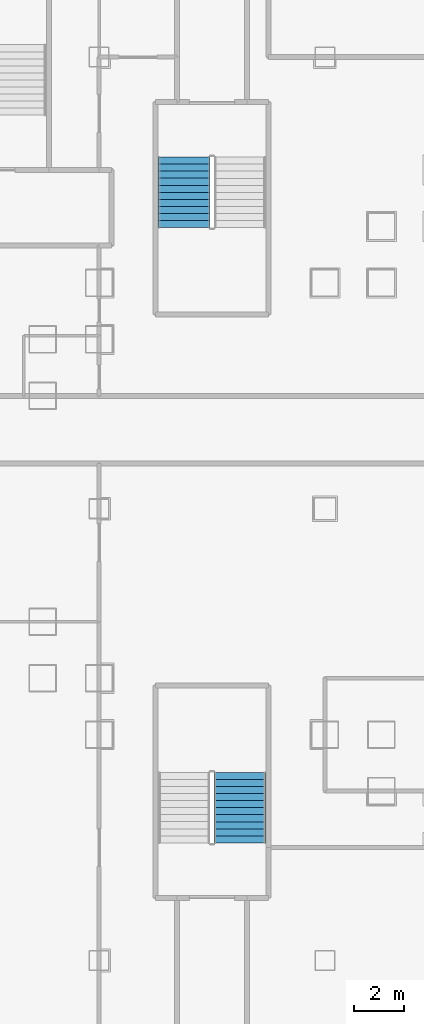
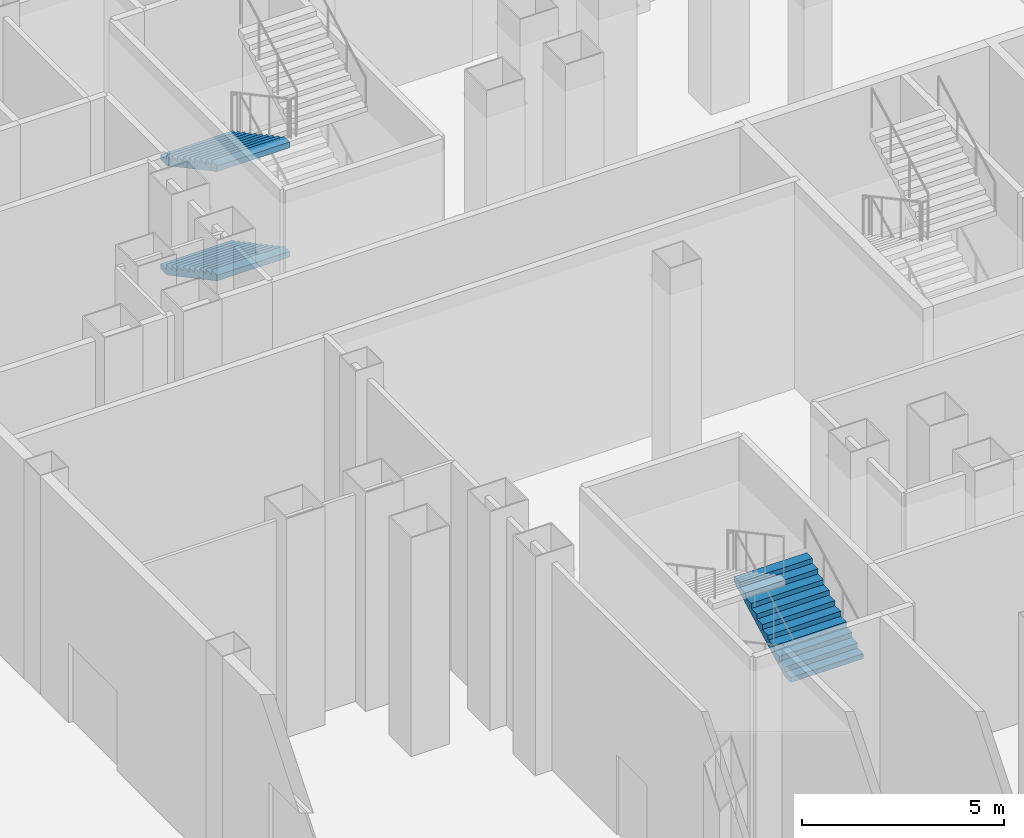
# One storey, part 19 of 38: 3 stair flights, 2 elements without a shape of their own.
"""IFC4 building model written with IfcOpenShell, lengths in metres."""

import ifcopenshell
import ifcopenshell.guid

model = None  # the IFC model being written
_history = None  # IfcOwnerHistory: only IFC2X3 demands one
_inside = {}  # id of a spatial element -> (the spatial element, [elements in it])
_under = {}  # id of a project, library or spatial element -> (it, [spatial elements below it])
_declared = {}  # id of a project -> (the project, [libraries it declares])
_typed = {}  # id of a type object -> (the type object, [elements of that type])
_made_of = {}  # id of a material, layer set ... -> (it, [elements and type objects made of it])


def new_model(schema):
    """Start an empty IFC model of exactly this schema.

    Asked for "IFC4X3", IfcOpenShell would pick the latest addendum, in which some entities
    have other attributes; the version numbers below select the first issue.
    IFC2X3 requires an IfcOwnerHistory on every rooted entity: one is made here for all.
    """
    global model, _history
    if schema == "IFC4X3":
        model = ifcopenshell.file(schema_version=(4, 3, 0, 0))
    else:
        model = ifcopenshell.file(schema=schema)
    _inside.clear()
    _under.clear()
    _declared.clear()
    _typed.clear()
    _made_of.clear()
    _history = None
    if model.schema == "IFC2X3":
        org = make("IfcOrganization", Name="unknown")
        user = make(
            "IfcPersonAndOrganization",
            ThePerson=make("IfcPerson", FamilyName="unknown"),
            TheOrganization=org,
        )
        app = make(
            "IfcApplication",
            ApplicationDeveloper=org,
            Version="unknown",
            ApplicationFullName="unknown",
            ApplicationIdentifier="unknown",
        )
        _history = make(
            "IfcOwnerHistory",
            OwningUser=user,
            OwningApplication=app,
            ChangeAction="ADDED",
            CreationDate=0,
        )
    return model


def make(cls, **values):
    """One entity of the class cls with the attributes given. An attribute that is None is left unset."""
    return model.create_entity(
        cls, **{name: value for name, value in values.items() if value is not None}
    )


def rooted(cls, **values):
    """An entity with a GlobalId (a new one), such as an element, a storey or a relation."""
    return make(cls, GlobalId=ifcopenshell.guid.new(), OwnerHistory=_history, **values)


def si_unit(unit_type, name, prefix=None):
    """IfcSIUnit, for example si_unit("LENGTHUNIT", "METRE", prefix="MILLI")."""
    return make("IfcSIUnit", UnitType=unit_type, Prefix=prefix, Name=name)


def assignment(units):
    """IfcUnitAssignment: the units of a project."""
    return None if units is None else make("IfcUnitAssignment", Units=units)


def point(xyz):
    """IfcCartesianPoint."""
    return None if xyz is None else make("IfcCartesianPoint", Coordinates=xyz)


def direction(xyz):
    """IfcDirection."""
    return None if xyz is None else make("IfcDirection", DirectionRatios=xyz)


def frame(location, z_axis=None, x_axis=None):
    """IfcAxis2Placement3D, a coordinate frame: its origin and axes. An axis left out is left unset."""
    return make(
        "IfcAxis2Placement3D",
        Location=point(location),
        Axis=direction(z_axis),
        RefDirection=direction(x_axis),
    )


def origin():
    """The frame at (0, 0, 0) with its axes left unset."""
    return frame((0.0, 0.0, 0.0))


def place(relative_to, where):
    """IfcLocalPlacement: puts the frame where relative to a parent placement (None: the world)."""
    return make(
        "IfcLocalPlacement", PlacementRelTo=relative_to, RelativePlacement=where
    )


def context(
    kind, dimensions, precision=None, world=None, true_north=None, identifier=None
):
    """IfcGeometricRepresentationContext, for example the 3D "Model" context."""
    return make(
        "IfcGeometricRepresentationContext",
        ContextIdentifier=identifier,
        ContextType=kind,
        CoordinateSpaceDimension=dimensions,
        Precision=precision,
        WorldCoordinateSystem=world,
        TrueNorth=true_north,
    )


def subcontext(parent, identifier, kind, view, scale=None):
    """IfcGeometricRepresentationSubContext, for example "Body" below "Model"."""
    return make(
        "IfcGeometricRepresentationSubContext",
        ContextIdentifier=identifier,
        ContextType=kind,
        ParentContext=parent,
        TargetScale=scale,
        TargetView=view,
    )


def project(units=None, contexts=None):
    """IfcProject with its units and contexts."""
    return rooted(
        "IfcProject",
        Name="project",
        RepresentationContexts=contexts,
        UnitsInContext=assignment(units),
    )


def spatial(cls, under=None, at=None, **own):
    """A site, building, storey or space (cls), placed at a placement, below another one or the project."""
    s = rooted(cls, ObjectPlacement=at, **own)
    if under is not None:
        _under.setdefault(under.id(), (under, []))[1].append(s)
    return s


def point_list(points):
    """IfcCartesianPointList2D or 3D."""
    cls = (
        "IfcCartesianPointList2D" if len(points[0]) == 2 else "IfcCartesianPointList3D"
    )
    return make(cls, CoordList=points)


def polygons(points, faces, closed=None, point_numbers=None):
    """IfcPolygonalFaceSet: a face is its outer loop, then its inner loops; points numbered from 1."""
    made = []
    for loops in faces:
        if len(loops) == 1:
            made.append(make("IfcIndexedPolygonalFace", CoordIndex=loops[0]))
        else:
            made.append(
                make(
                    "IfcIndexedPolygonalFaceWithVoids",
                    CoordIndex=loops[0],
                    InnerCoordIndices=loops[1:],
                )
            )
    return make(
        "IfcPolygonalFaceSet",
        Coordinates=point_list(points),
        Closed=closed,
        Faces=made,
        PnIndex=point_numbers,
    )


def shape(context_of_items, identifier, shape_type, items):
    """IfcShapeRepresentation: the items that make up one representation, for example the "Body"."""
    return make(
        "IfcShapeRepresentation",
        ContextOfItems=context_of_items,
        RepresentationIdentifier=identifier,
        RepresentationType=shape_type,
        Items=items,
    )


def material(Name=None, Category=None):
    """IfcMaterial."""
    return make("IfcMaterial", Name=Name, Category=Category)


def made_of(thing, what):
    """Note that an element or type object is made of a material, layer set ...; save() writes the relation."""
    if what is not None:
        _made_of.setdefault(what.id(), (what, []))[1].append(thing)
    return thing


def type_object(cls, material=None, **own):
    """A type object (cls), such as IfcWallType, which elements share."""
    return made_of(rooted(cls, **own), material)


def element(
    cls,
    number,
    at=None,
    inside=None,
    cuts=None,
    type_object=None,
    material=None,
    context=None,
    identifier="Body",
    shape_type=None,
    held_by="IfcProductDefinitionShape",
    body=None,
    shapes=None,
    **own,
):
    """One element of the class cls, such as IfcWall. Its Tag is "e" and its number.

    at: its placement. inside: the storey or other place that contains it. cuts: it is an
    opening in that element (IfcRelVoidsElement). A single representation is given by context,
    identifier, shape_type and body (its items); several are given by shapes. held_by: the class
    of the entity that holds the representations. save() writes the other relations.
    """
    e = rooted(cls, Tag="e%d" % number, ObjectPlacement=at, **own)
    if body is not None:
        shapes = [shape(context, identifier, shape_type, body)]
    if shapes is not None:
        e.Representation = make(held_by, Representations=shapes)
    if inside is not None:
        _inside.setdefault(inside.id(), (inside, []))[1].append(e)
    if cuts is not None:
        rooted(
            "IfcRelVoidsElement", RelatingBuildingElement=cuts, RelatedOpeningElement=e
        )
    if type_object is not None:
        _typed.setdefault(type_object.id(), (type_object, []))[1].append(e)
    return made_of(e, material)


def aggregate(whole, parts):
    """IfcRelAggregates: a whole, such as a stair, and the parts it consists of."""
    return rooted("IfcRelAggregates", RelatingObject=whole, RelatedObjects=parts)


def save(model, path):
    """Write the relations noted so far, then the file.

    IfcRelAggregates (storeys below a building ...), IfcRelContainedInSpatialStructure (elements
    in a storey), IfcRelDefinesByType, IfcRelAssociatesMaterial and IfcRelDeclares: one each for
    every whole, place, type object, material and project.
    """
    for whole, parts in _under.values():
        aggregate(whole, parts)
    for where, things in _inside.values():
        rooted(
            "IfcRelContainedInSpatialStructure",
            RelatedElements=things,
            RelatingStructure=where,
        )
    for kind, things in _typed.values():
        rooted("IfcRelDefinesByType", RelatedObjects=things, RelatingType=kind)
    for what, things in _made_of.values():
        rooted("IfcRelAssociatesMaterial", RelatedObjects=things, RelatingMaterial=what)
    for by, libraries in _declared.values():
        rooted("IfcRelDeclares", RelatingContext=by, RelatedDefinitions=libraries)
    model.write(path)


model = new_model("IFC4")

# Units and contexts
model_context = context("Model", 3, precision=1e-05, world=origin(), true_north=direction((0.0, 1.0)))
body_context = subcontext(model_context, "Body", "Model", "MODEL_VIEW")
ifc_project = project(units=[si_unit("LENGTHUNIT", "METRE"), si_unit("AREAUNIT", "SQUARE_METRE"), si_unit("VOLUMEUNIT", "CUBIC_METRE"), si_unit("PLANEANGLEUNIT", "RADIAN"), si_unit("MASSUNIT", "GRAM", prefix="KILO")], contexts=[model_context])

# Site, building, storey
site_placement = place(None, origin())
site = spatial("IfcSite", under=ifc_project, at=site_placement, CompositionType="ELEMENT")
building_placement = place(site_placement, origin())
building = spatial("IfcBuilding", under=site, at=building_placement, Name="Caravel Reach Hotel and Residences", CompositionType="ELEMENT")
storey_placement = place(building_placement, origin())
storey = spatial("IfcBuildingStorey", under=building, at=storey_placement, Name="L00", CompositionType="ELEMENT", Elevation=0.0)

# Stair, stair flights
ifc_material_1 = material(Name="Concrete C40", Category="concrete")
stair_type = type_object("IfcStairType", Name="Core stair", PredefinedType="HALF_TURN_STAIR", material=ifc_material_1)
stair_1_placement = place(storey_placement, origin())
stair_1 = element("IfcStair", 1, at=stair_1_placement, inside=storey, type_object=stair_type, Name="L00 Exit stair P1", PredefinedType="HALF_TURN_STAIR")
ifc_material_2 = material(Name="Concrete C40", Category="concrete")
stair_flight_type = type_object("IfcStairFlightType", Name="Core stair flight", PredefinedType="STRAIGHT", material=ifc_material_2)
stair_flight_1_placement = place(storey_placement, frame((7.889892578125, 41.010009765625, 0.0), z_axis=(0.0, 0.0, 1.0), x_axis=(0.0, -1.0, 0.0)))
stair_flight_1 = element("IfcStairFlight", 2, at=stair_flight_1_placement, type_object=stair_flight_type, Name="ST-P1 flight 1", NumberOfRisers=11, NumberOfTreads=10, PredefinedType="STRAIGHT", RiserHeight=0.15, TreadLength=0.28, context=body_context, shape_type="Tessellation", body=[
    polygons([(0.3174408016601862, 1.0350341796875, 0.0), (0.3174408016601862, 0.6900227864583333, 0.0), (0.3174408016601862, 0.34501139322916663, 0.0), (0.3174408016601862, 0.0, 0.0), (0.3174408016601862, -0.34501139322916674, 0.0), (0.3174408016601862, -0.6900227864583333, 0.0), (0.3174408016601862, -1.0350341796875, 0.0), (2.801, 1.0350341796875, 1.329942427682043), (2.801, 0.6900227864583333, 1.329942427682043), (2.801, 0.34501139322916663, 1.329942427682043), (2.801, 0.0, 1.329942427682043), (2.801, -0.34501139322916674, 1.329942427682043), (2.801, -0.6900227864583333, 1.329942427682043), (2.801, -1.0350341796875, 1.329942427682043), (2.801, 1.0350341796875, 1.5), (2.801, 0.6900227864583333, 1.5), (2.801, 0.34501139322916663, 1.5), (2.801, 0.0, 1.5), (2.801, -0.34501139322916674, 1.5), (2.801, -0.6900227864583333, 1.5), (2.801, -1.0350341796875, 1.5), (2.5200000000000005, 1.0350341796875, 1.5), (2.5200000000000005, 0.6900227864583333, 1.5), (2.5200000000000005, 0.34501139322916663, 1.5), (2.5200000000000005, 0.0, 1.5), (2.5200000000000005, -0.34501139322916674, 1.5), (2.5200000000000005, -0.6900227864583333, 1.5), (2.5200000000000005, -1.0350341796875, 1.5), (2.5200000000000005, 1.0350341796875, 1.3499999999999999), (2.5200000000000005, 0.6900227864583333, 1.3499999999999999), (2.5200000000000005, 0.34501139322916663, 1.3499999999999999), (2.5200000000000005, 0.0, 1.3499999999999999), (2.5200000000000005, -0.34501139322916674, 1.3499999999999999), (2.5200000000000005, -0.6900227864583333, 1.3499999999999999), (2.5200000000000005, -1.0350341796875, 1.3499999999999999), (2.24, 1.0350341796875, 1.3499999999999999), (2.24, 0.6900227864583333, 1.3499999999999999), (2.24, 0.34501139322916663, 1.3499999999999999), (2.24, 0.0, 1.3499999999999999), (2.24, -0.34501139322916674, 1.3499999999999999), (2.24, -0.6900227864583333, 1.3499999999999999), (2.24, -1.0350341796875, 1.3499999999999999), (2.24, 1.0350341796875, 1.2), (2.24, 0.6900227864583333, 1.2), (2.24, 0.34501139322916663, 1.2), (2.24, 0.0, 1.2), (2.24, -0.34501139322916674, 1.2), (2.24, -0.6900227864583333, 1.2), (2.24, -1.0350341796875, 1.2), (1.9600000000000002, 1.0350341796875, 1.2), (1.9600000000000002, 0.6900227864583333, 1.2), (1.9600000000000002, 0.34501139322916663, 1.2), (1.9600000000000002, 0.0, 1.2), (1.9600000000000002, -0.34501139322916674, 1.2), (1.9600000000000002, -0.6900227864583333, 1.2), (1.9600000000000002, -1.0350341796875, 1.2), (1.9600000000000002, 1.0350341796875, 1.05), (1.9600000000000002, 0.6900227864583333, 1.05), (1.9600000000000002, 0.34501139322916663, 1.05), (1.9600000000000002, 0.0, 1.05), (1.9600000000000002, -0.34501139322916674, 1.05), (1.9600000000000002, -0.6900227864583333, 1.05), (1.9600000000000002, -1.0350341796875, 1.05), (1.6800000000000002, 1.0350341796875, 1.05), (1.6800000000000002, 0.6900227864583333, 1.05), (1.6800000000000002, 0.34501139322916663, 1.05), (1.6800000000000002, 0.0, 1.05), (1.6800000000000002, -0.34501139322916674, 1.05), (1.6800000000000002, -0.6900227864583333, 1.05), (1.6800000000000002, -1.0350341796875, 1.05), (1.6800000000000002, 1.0350341796875, 0.8999999999999999), (1.6800000000000002, 0.6900227864583333, 0.8999999999999999), (1.6800000000000002, 0.34501139322916663, 0.8999999999999999), (1.6800000000000002, 0.0, 0.8999999999999999), (1.6800000000000002, -0.34501139322916674, 0.8999999999999999), (1.6800000000000002, -0.6900227864583333, 0.8999999999999999), (1.6800000000000002, -1.0350341796875, 0.8999999999999999), (1.4000000000000001, 1.0350341796875, 0.8999999999999999), (1.4000000000000001, 0.6900227864583333, 0.8999999999999999), (1.4000000000000001, 0.34501139322916663, 0.8999999999999999), (1.4000000000000001, 0.0, 0.8999999999999999), (1.4000000000000001, -0.34501139322916674, 0.8999999999999999), (1.4000000000000001, -0.6900227864583333, 0.8999999999999999), (1.4000000000000001, -1.0350341796875, 0.8999999999999999), (1.4000000000000001, 1.0350341796875, 0.75), (1.4000000000000001, 0.6900227864583333, 0.75), (1.4000000000000001, 0.34501139322916663, 0.75), (1.4000000000000001, 0.0, 0.75), (1.4000000000000001, -0.34501139322916674, 0.75), (1.4000000000000001, -0.6900227864583333, 0.75), (1.4000000000000001, -1.0350341796875, 0.75), (1.12, 1.0350341796875, 0.75), (1.12, 0.6900227864583333, 0.75), (1.12, 0.34501139322916663, 0.75), (1.12, 0.0, 0.75), (1.12, -0.34501139322916674, 0.75), (1.12, -0.6900227864583333, 0.75), (1.12, -1.0350341796875, 0.75), (1.12, 1.0350341796875, 0.6), (1.12, 0.6900227864583333, 0.6), (1.12, 0.34501139322916663, 0.6), (1.12, 0.0, 0.6), (1.12, -0.34501139322916674, 0.6), (1.12, -0.6900227864583333, 0.6), (1.12, -1.0350341796875, 0.6), (0.8400000000000001, 1.0350341796875, 0.6), (0.8400000000000001, 0.6900227864583333, 0.6), (0.8400000000000001, 0.34501139322916663, 0.6), (0.8400000000000001, 0.0, 0.6), (0.8400000000000001, -0.34501139322916674, 0.6), (0.8400000000000001, -0.6900227864583333, 0.6), (0.8400000000000001, -1.0350341796875, 0.6), (0.8400000000000001, 1.0350341796875, 0.44999999999999996), (0.8400000000000001, 0.6900227864583333, 0.44999999999999996), (0.8400000000000001, 0.34501139322916663, 0.44999999999999996), (0.8400000000000001, 0.0, 0.44999999999999996), (0.8400000000000001, -0.34501139322916674, 0.44999999999999996), (0.8400000000000001, -0.6900227864583333, 0.44999999999999996), (0.8400000000000001, -1.0350341796875, 0.44999999999999996), (0.56, 1.0350341796875, 0.44999999999999996), (0.56, 0.6900227864583333, 0.44999999999999996), (0.56, 0.34501139322916663, 0.44999999999999996), (0.56, 0.0, 0.44999999999999996), (0.56, -0.34501139322916674, 0.44999999999999996), (0.56, -0.6900227864583333, 0.44999999999999996), (0.56, -1.0350341796875, 0.44999999999999996), (0.56, 1.0350341796875, 0.3), (0.56, 0.6900227864583333, 0.3), (0.56, 0.34501139322916663, 0.3), (0.56, 0.0, 0.3), (0.56, -0.34501139322916674, 0.3), (0.56, -0.6900227864583333, 0.3), (0.56, -1.0350341796875, 0.3), (0.28, 1.0350341796875, 0.3), (0.28, 0.6900227864583333, 0.3), (0.28, 0.34501139322916663, 0.3), (0.28, 0.0, 0.3), (0.28, -0.34501139322916674, 0.3), (0.28, -0.6900227864583333, 0.3), (0.28, -1.0350341796875, 0.3), (0.28, 1.0350341796875, 0.15), (0.28, 0.6900227864583333, 0.15), (0.28, 0.34501139322916663, 0.15), (0.28, 0.0, 0.15), (0.28, -0.34501139322916674, 0.15), (0.28, -0.6900227864583333, 0.15), (0.28, -1.0350341796875, 0.15), (-0.001, 1.0350341796875, 0.15), (-0.001, 0.6900227864583333, 0.15), (-0.001, 0.34501139322916663, 0.15), (-0.001, 0.0, 0.15), (-0.001, -0.34501139322916674, 0.15), (-0.001, -0.6900227864583333, 0.15), (-0.001, -1.0350341796875, 0.15), (-0.001, 1.0350341796875, 0.0), (-0.001, 0.6900227864583333, 0.0), (-0.001, 0.34501139322916663, 0.0), (-0.001, 0.0, 0.0), (-0.001, -0.34501139322916674, 0.0), (-0.001, -0.6900227864583333, 0.0), (-0.001, -1.0350341796875, 0.0)], [[[155, 148, 141, 134, 127, 120, 113, 106, 99, 92, 85, 78, 71, 64, 57, 50, 43, 36, 29, 22, 15, 8, 1]], [[7, 14, 21, 28, 35, 42, 49, 56, 63, 70, 77, 84, 91, 98, 105, 112, 119, 126, 133, 140, 147, 154, 161]], [[1, 8, 9, 2]], [[2, 9, 10, 3]], [[3, 10, 11, 4]], [[4, 11, 12, 5]], [[5, 12, 13, 6]], [[6, 13, 14, 7]], [[8, 15, 16, 9]], [[9, 16, 17, 10]], [[10, 17, 18, 11]], [[11, 18, 19, 12]], [[12, 19, 20, 13]], [[13, 20, 21, 14]], [[15, 22, 23, 16]], [[16, 23, 24, 17]], [[17, 24, 25, 18]], [[18, 25, 26, 19]], [[19, 26, 27, 20]], [[20, 27, 28, 21]], [[22, 29, 30, 23]], [[23, 30, 31, 24]], [[24, 31, 32, 25]], [[25, 32, 33, 26]], [[26, 33, 34, 27]], [[27, 34, 35, 28]], [[29, 36, 37, 30]], [[30, 37, 38, 31]], [[31, 38, 39, 32]], [[32, 39, 40, 33]], [[33, 40, 41, 34]], [[34, 41, 42, 35]], [[36, 43, 44, 37]], [[37, 44, 45, 38]], [[38, 45, 46, 39]], [[39, 46, 47, 40]], [[40, 47, 48, 41]], [[41, 48, 49, 42]], [[43, 50, 51, 44]], [[44, 51, 52, 45]], [[45, 52, 53, 46]], [[46, 53, 54, 47]], [[47, 54, 55, 48]], [[48, 55, 56, 49]], [[50, 57, 58, 51]], [[51, 58, 59, 52]], [[52, 59, 60, 53]], [[53, 60, 61, 54]], [[54, 61, 62, 55]], [[55, 62, 63, 56]], [[57, 64, 65, 58]], [[58, 65, 66, 59]], [[59, 66, 67, 60]], [[60, 67, 68, 61]], [[61, 68, 69, 62]], [[62, 69, 70, 63]], [[64, 71, 72, 65]], [[65, 72, 73, 66]], [[66, 73, 74, 67]], [[67, 74, 75, 68]], [[68, 75, 76, 69]], [[69, 76, 77, 70]], [[71, 78, 79, 72]], [[72, 79, 80, 73]], [[73, 80, 81, 74]], [[74, 81, 82, 75]], [[75, 82, 83, 76]], [[76, 83, 84, 77]], [[78, 85, 86, 79]], [[79, 86, 87, 80]], [[80, 87, 88, 81]], [[81, 88, 89, 82]], [[82, 89, 90, 83]], [[83, 90, 91, 84]], [[85, 92, 93, 86]], [[86, 93, 94, 87]], [[87, 94, 95, 88]], [[88, 95, 96, 89]], [[89, 96, 97, 90]], [[90, 97, 98, 91]], [[92, 99, 100, 93]], [[93, 100, 101, 94]], [[94, 101, 102, 95]], [[95, 102, 103, 96]], [[96, 103, 104, 97]], [[97, 104, 105, 98]], [[99, 106, 107, 100]], [[100, 107, 108, 101]], [[101, 108, 109, 102]], [[102, 109, 110, 103]], [[103, 110, 111, 104]], [[104, 111, 112, 105]], [[106, 113, 114, 107]], [[107, 114, 115, 108]], [[108, 115, 116, 109]], [[109, 116, 117, 110]], [[110, 117, 118, 111]], [[111, 118, 119, 112]], [[113, 120, 121, 114]], [[114, 121, 122, 115]], [[115, 122, 123, 116]], [[116, 123, 124, 117]], [[117, 124, 125, 118]], [[118, 125, 126, 119]], [[120, 127, 128, 121]], [[121, 128, 129, 122]], [[122, 129, 130, 123]], [[123, 130, 131, 124]], [[124, 131, 132, 125]], [[125, 132, 133, 126]], [[127, 134, 135, 128]], [[128, 135, 136, 129]], [[129, 136, 137, 130]], [[130, 137, 138, 131]], [[131, 138, 139, 132]], [[132, 139, 140, 133]], [[134, 141, 142, 135]], [[135, 142, 143, 136]], [[136, 143, 144, 137]], [[137, 144, 145, 138]], [[138, 145, 146, 139]], [[139, 146, 147, 140]], [[141, 148, 149, 142]], [[142, 149, 150, 143]], [[143, 150, 151, 144]], [[144, 151, 152, 145]], [[145, 152, 153, 146]], [[146, 153, 154, 147]], [[148, 155, 156, 149]], [[149, 156, 157, 150]], [[150, 157, 158, 151]], [[151, 158, 159, 152]], [[152, 159, 160, 153]], [[153, 160, 161, 154]], [[155, 1, 2, 156]], [[156, 2, 3, 157]], [[157, 3, 4, 158]], [[158, 4, 5, 159]], [[159, 5, 6, 160]], [[160, 6, 7, 161]]], closed=True),
])
stair_flight_2_placement = place(storey_placement, frame((7.889892578125, 41.010009765625, 3.300048828125), z_axis=(0.0, 0.0, 1.0), x_axis=(0.0, -1.0, 0.0)))
stair_flight_2 = element("IfcStairFlight", 3, at=stair_flight_2_placement, type_object=stair_flight_type, Name="ST-P1 flight 3", NumberOfRisers=11, NumberOfTreads=10, PredefinedType="STRAIGHT", RiserHeight=0.15, TreadLength=0.28, context=body_context, shape_type="Tessellation", body=[
    polygons([(0.3174408016601862, 1.0350341796875, 0.0), (0.3174408016601862, 0.6900227864583333, 0.0), (0.3174408016601862, 0.34501139322916663, 0.0), (0.3174408016601862, 0.0, 0.0), (0.3174408016601862, -0.34501139322916674, 0.0), (0.3174408016601862, -0.6900227864583333, 0.0), (0.3174408016601862, -1.0350341796875, 0.0), (2.801, 1.0350341796875, 1.329942427682043), (2.801, 0.6900227864583333, 1.329942427682043), (2.801, 0.34501139322916663, 1.329942427682043), (2.801, 0.0, 1.329942427682043), (2.801, -0.34501139322916674, 1.329942427682043), (2.801, -0.6900227864583333, 1.329942427682043), (2.801, -1.0350341796875, 1.329942427682043), (2.801, 1.0350341796875, 1.5), (2.801, 0.6900227864583333, 1.5), (2.801, 0.34501139322916663, 1.5), (2.801, 0.0, 1.5), (2.801, -0.34501139322916674, 1.5), (2.801, -0.6900227864583333, 1.5), (2.801, -1.0350341796875, 1.5), (2.5200000000000005, 1.0350341796875, 1.5), (2.5200000000000005, 0.6900227864583333, 1.5), (2.5200000000000005, 0.34501139322916663, 1.5), (2.5200000000000005, 0.0, 1.5), (2.5200000000000005, -0.34501139322916674, 1.5), (2.5200000000000005, -0.6900227864583333, 1.5), (2.5200000000000005, -1.0350341796875, 1.5), (2.5200000000000005, 1.0350341796875, 1.3499999999999999), (2.5200000000000005, 0.6900227864583333, 1.3499999999999999), (2.5200000000000005, 0.34501139322916663, 1.3499999999999999), (2.5200000000000005, 0.0, 1.3499999999999999), (2.5200000000000005, -0.34501139322916674, 1.3499999999999999), (2.5200000000000005, -0.6900227864583333, 1.3499999999999999), (2.5200000000000005, -1.0350341796875, 1.3499999999999999), (2.24, 1.0350341796875, 1.3499999999999999), (2.24, 0.6900227864583333, 1.3499999999999999), (2.24, 0.34501139322916663, 1.3499999999999999), (2.24, 0.0, 1.3499999999999999), (2.24, -0.34501139322916674, 1.3499999999999999), (2.24, -0.6900227864583333, 1.3499999999999999), (2.24, -1.0350341796875, 1.3499999999999999), (2.24, 1.0350341796875, 1.2), (2.24, 0.6900227864583333, 1.2), (2.24, 0.34501139322916663, 1.2), (2.24, 0.0, 1.2), (2.24, -0.34501139322916674, 1.2), (2.24, -0.6900227864583333, 1.2), (2.24, -1.0350341796875, 1.2), (1.9600000000000002, 1.0350341796875, 1.2), (1.9600000000000002, 0.6900227864583333, 1.2), (1.9600000000000002, 0.34501139322916663, 1.2), (1.9600000000000002, 0.0, 1.2), (1.9600000000000002, -0.34501139322916674, 1.2), (1.9600000000000002, -0.6900227864583333, 1.2), (1.9600000000000002, -1.0350341796875, 1.2), (1.9600000000000002, 1.0350341796875, 1.05), (1.9600000000000002, 0.6900227864583333, 1.05), (1.9600000000000002, 0.34501139322916663, 1.05), (1.9600000000000002, 0.0, 1.05), (1.9600000000000002, -0.34501139322916674, 1.05), (1.9600000000000002, -0.6900227864583333, 1.05), (1.9600000000000002, -1.0350341796875, 1.05), (1.6800000000000002, 1.0350341796875, 1.05), (1.6800000000000002, 0.6900227864583333, 1.05), (1.6800000000000002, 0.34501139322916663, 1.05), (1.6800000000000002, 0.0, 1.05), (1.6800000000000002, -0.34501139322916674, 1.05), (1.6800000000000002, -0.6900227864583333, 1.05), (1.6800000000000002, -1.0350341796875, 1.05), (1.6800000000000002, 1.0350341796875, 0.8999999999999999), (1.6800000000000002, 0.6900227864583333, 0.8999999999999999), (1.6800000000000002, 0.34501139322916663, 0.8999999999999999), (1.6800000000000002, 0.0, 0.8999999999999999), (1.6800000000000002, -0.34501139322916674, 0.8999999999999999), (1.6800000000000002, -0.6900227864583333, 0.8999999999999999), (1.6800000000000002, -1.0350341796875, 0.8999999999999999), (1.4000000000000001, 1.0350341796875, 0.8999999999999999), (1.4000000000000001, 0.6900227864583333, 0.8999999999999999), (1.4000000000000001, 0.34501139322916663, 0.8999999999999999), (1.4000000000000001, 0.0, 0.8999999999999999), (1.4000000000000001, -0.34501139322916674, 0.8999999999999999), (1.4000000000000001, -0.6900227864583333, 0.8999999999999999), (1.4000000000000001, -1.0350341796875, 0.8999999999999999), (1.4000000000000001, 1.0350341796875, 0.75), (1.4000000000000001, 0.6900227864583333, 0.75), (1.4000000000000001, 0.34501139322916663, 0.75), (1.4000000000000001, 0.0, 0.75), (1.4000000000000001, -0.34501139322916674, 0.75), (1.4000000000000001, -0.6900227864583333, 0.75), (1.4000000000000001, -1.0350341796875, 0.75), (1.12, 1.0350341796875, 0.75), (1.12, 0.6900227864583333, 0.75), (1.12, 0.34501139322916663, 0.75), (1.12, 0.0, 0.75), (1.12, -0.34501139322916674, 0.75), (1.12, -0.6900227864583333, 0.75), (1.12, -1.0350341796875, 0.75), (1.12, 1.0350341796875, 0.6), (1.12, 0.6900227864583333, 0.6), (1.12, 0.34501139322916663, 0.6), (1.12, 0.0, 0.6), (1.12, -0.34501139322916674, 0.6), (1.12, -0.6900227864583333, 0.6), (1.12, -1.0350341796875, 0.6), (0.8400000000000001, 1.0350341796875, 0.6), (0.8400000000000001, 0.6900227864583333, 0.6), (0.8400000000000001, 0.34501139322916663, 0.6), (0.8400000000000001, 0.0, 0.6), (0.8400000000000001, -0.34501139322916674, 0.6), (0.8400000000000001, -0.6900227864583333, 0.6), (0.8400000000000001, -1.0350341796875, 0.6), (0.8400000000000001, 1.0350341796875, 0.44999999999999996), (0.8400000000000001, 0.6900227864583333, 0.44999999999999996), (0.8400000000000001, 0.34501139322916663, 0.44999999999999996), (0.8400000000000001, 0.0, 0.44999999999999996), (0.8400000000000001, -0.34501139322916674, 0.44999999999999996), (0.8400000000000001, -0.6900227864583333, 0.44999999999999996), (0.8400000000000001, -1.0350341796875, 0.44999999999999996), (0.56, 1.0350341796875, 0.44999999999999996), (0.56, 0.6900227864583333, 0.44999999999999996), (0.56, 0.34501139322916663, 0.44999999999999996), (0.56, 0.0, 0.44999999999999996), (0.56, -0.34501139322916674, 0.44999999999999996), (0.56, -0.6900227864583333, 0.44999999999999996), (0.56, -1.0350341796875, 0.44999999999999996), (0.56, 1.0350341796875, 0.3), (0.56, 0.6900227864583333, 0.3), (0.56, 0.34501139322916663, 0.3), (0.56, 0.0, 0.3), (0.56, -0.34501139322916674, 0.3), (0.56, -0.6900227864583333, 0.3), (0.56, -1.0350341796875, 0.3), (0.28, 1.0350341796875, 0.3), (0.28, 0.6900227864583333, 0.3), (0.28, 0.34501139322916663, 0.3), (0.28, 0.0, 0.3), (0.28, -0.34501139322916674, 0.3), (0.28, -0.6900227864583333, 0.3), (0.28, -1.0350341796875, 0.3), (0.28, 1.0350341796875, 0.15), (0.28, 0.6900227864583333, 0.15), (0.28, 0.34501139322916663, 0.15), (0.28, 0.0, 0.15), (0.28, -0.34501139322916674, 0.15), (0.28, -0.6900227864583333, 0.15), (0.28, -1.0350341796875, 0.15), (-0.001, 1.0350341796875, 0.15), (-0.001, 0.6900227864583333, 0.15), (-0.001, 0.34501139322916663, 0.15), (-0.001, 0.0, 0.15), (-0.001, -0.34501139322916674, 0.15), (-0.001, -0.6900227864583333, 0.15), (-0.001, -1.0350341796875, 0.15), (-0.001, 1.0350341796875, 0.0), (-0.001, 0.6900227864583333, 0.0), (-0.001, 0.34501139322916663, 0.0), (-0.001, 0.0, 0.0), (-0.001, -0.34501139322916674, 0.0), (-0.001, -0.6900227864583333, 0.0), (-0.001, -1.0350341796875, 0.0)], [[[155, 148, 141, 134, 127, 120, 113, 106, 99, 92, 85, 78, 71, 64, 57, 50, 43, 36, 29, 22, 15, 8, 1]], [[7, 14, 21, 28, 35, 42, 49, 56, 63, 70, 77, 84, 91, 98, 105, 112, 119, 126, 133, 140, 147, 154, 161]], [[1, 8, 9, 2]], [[2, 9, 10, 3]], [[3, 10, 11, 4]], [[4, 11, 12, 5]], [[5, 12, 13, 6]], [[6, 13, 14, 7]], [[8, 15, 16, 9]], [[9, 16, 17, 10]], [[10, 17, 18, 11]], [[11, 18, 19, 12]], [[12, 19, 20, 13]], [[13, 20, 21, 14]], [[15, 22, 23, 16]], [[16, 23, 24, 17]], [[17, 24, 25, 18]], [[18, 25, 26, 19]], [[19, 26, 27, 20]], [[20, 27, 28, 21]], [[22, 29, 30, 23]], [[23, 30, 31, 24]], [[24, 31, 32, 25]], [[25, 32, 33, 26]], [[26, 33, 34, 27]], [[27, 34, 35, 28]], [[29, 36, 37, 30]], [[30, 37, 38, 31]], [[31, 38, 39, 32]], [[32, 39, 40, 33]], [[33, 40, 41, 34]], [[34, 41, 42, 35]], [[36, 43, 44, 37]], [[37, 44, 45, 38]], [[38, 45, 46, 39]], [[39, 46, 47, 40]], [[40, 47, 48, 41]], [[41, 48, 49, 42]], [[43, 50, 51, 44]], [[44, 51, 52, 45]], [[45, 52, 53, 46]], [[46, 53, 54, 47]], [[47, 54, 55, 48]], [[48, 55, 56, 49]], [[50, 57, 58, 51]], [[51, 58, 59, 52]], [[52, 59, 60, 53]], [[53, 60, 61, 54]], [[54, 61, 62, 55]], [[55, 62, 63, 56]], [[57, 64, 65, 58]], [[58, 65, 66, 59]], [[59, 66, 67, 60]], [[60, 67, 68, 61]], [[61, 68, 69, 62]], [[62, 69, 70, 63]], [[64, 71, 72, 65]], [[65, 72, 73, 66]], [[66, 73, 74, 67]], [[67, 74, 75, 68]], [[68, 75, 76, 69]], [[69, 76, 77, 70]], [[71, 78, 79, 72]], [[72, 79, 80, 73]], [[73, 80, 81, 74]], [[74, 81, 82, 75]], [[75, 82, 83, 76]], [[76, 83, 84, 77]], [[78, 85, 86, 79]], [[79, 86, 87, 80]], [[80, 87, 88, 81]], [[81, 88, 89, 82]], [[82, 89, 90, 83]], [[83, 90, 91, 84]], [[85, 92, 93, 86]], [[86, 93, 94, 87]], [[87, 94, 95, 88]], [[88, 95, 96, 89]], [[89, 96, 97, 90]], [[90, 97, 98, 91]], [[92, 99, 100, 93]], [[93, 100, 101, 94]], [[94, 101, 102, 95]], [[95, 102, 103, 96]], [[96, 103, 104, 97]], [[97, 104, 105, 98]], [[99, 106, 107, 100]], [[100, 107, 108, 101]], [[101, 108, 109, 102]], [[102, 109, 110, 103]], [[103, 110, 111, 104]], [[104, 111, 112, 105]], [[106, 113, 114, 107]], [[107, 114, 115, 108]], [[108, 115, 116, 109]], [[109, 116, 117, 110]], [[110, 117, 118, 111]], [[111, 118, 119, 112]], [[113, 120, 121, 114]], [[114, 121, 122, 115]], [[115, 122, 123, 116]], [[116, 123, 124, 117]], [[117, 124, 125, 118]], [[118, 125, 126, 119]], [[120, 127, 128, 121]], [[121, 128, 129, 122]], [[122, 129, 130, 123]], [[123, 130, 131, 124]], [[124, 131, 132, 125]], [[125, 132, 133, 126]], [[127, 134, 135, 128]], [[128, 135, 136, 129]], [[129, 136, 137, 130]], [[130, 137, 138, 131]], [[131, 138, 139, 132]], [[132, 139, 140, 133]], [[134, 141, 142, 135]], [[135, 142, 143, 136]], [[136, 143, 144, 137]], [[137, 144, 145, 138]], [[138, 145, 146, 139]], [[139, 146, 147, 140]], [[141, 148, 149, 142]], [[142, 149, 150, 143]], [[143, 150, 151, 144]], [[144, 151, 152, 145]], [[145, 152, 153, 146]], [[146, 153, 154, 147]], [[148, 155, 156, 149]], [[149, 156, 157, 150]], [[150, 157, 158, 151]], [[151, 158, 159, 152]], [[152, 159, 160, 153]], [[153, 160, 161, 154]], [[155, 1, 2, 156]], [[156, 2, 3, 157]], [[157, 3, 4, 158]], [[158, 4, 5, 159]], [[159, 5, 6, 160]], [[160, 6, 7, 161]]], closed=True),
])
aggregate(stair_1, [stair_flight_1, stair_flight_2])

# Stair, stair flight
stair_2_placement = place(storey_placement, origin())
stair_2 = element("IfcStair", 4, at=stair_2_placement, inside=storey, type_object=stair_type, Name="L00 Exit stair P3", PredefinedType="HALF_TURN_STAIR")
stair_flight_3_placement = place(storey_placement, frame((10.110107421875, 13.68994140625, 3.300048828125), z_axis=(0.0, 0.0, 1.0), x_axis=(0.0, 1.0, 0.0)))
stair_flight_3 = element("IfcStairFlight", 5, at=stair_flight_3_placement, type_object=stair_flight_type, Name="ST-P3 flight 3", NumberOfRisers=11, NumberOfTreads=10, PredefinedType="STRAIGHT", RiserHeight=0.15, TreadLength=0.28, context=body_context, shape_type="Tessellation", body=[
    polygons([(0.3174408016601862, 1.0350341796875, 0.0), (0.3174408016601862, 0.6900227864583333, 0.0), (0.3174408016601862, 0.34501139322916663, 0.0), (0.3174408016601862, 0.0, 0.0), (0.3174408016601862, -0.34501139322916674, 0.0), (0.3174408016601862, -0.6900227864583333, 0.0), (0.3174408016601862, -1.0350341796875, 0.0), (2.801, 1.0350341796875, 1.329942427682043), (2.801, 0.6900227864583333, 1.329942427682043), (2.801, 0.34501139322916663, 1.329942427682043), (2.801, 0.0, 1.329942427682043), (2.801, -0.34501139322916674, 1.329942427682043), (2.801, -0.6900227864583333, 1.329942427682043), (2.801, -1.0350341796875, 1.329942427682043), (2.801, 1.0350341796875, 1.5), (2.801, 0.6900227864583333, 1.5), (2.801, 0.34501139322916663, 1.5), (2.801, 0.0, 1.5), (2.801, -0.34501139322916674, 1.5), (2.801, -0.6900227864583333, 1.5), (2.801, -1.0350341796875, 1.5), (2.5200000000000005, 1.0350341796875, 1.5), (2.5200000000000005, 0.6900227864583333, 1.5), (2.5200000000000005, 0.34501139322916663, 1.5), (2.5200000000000005, 0.0, 1.5), (2.5200000000000005, -0.34501139322916674, 1.5), (2.5200000000000005, -0.6900227864583333, 1.5), (2.5200000000000005, -1.0350341796875, 1.5), (2.5200000000000005, 1.0350341796875, 1.3499999999999999), (2.5200000000000005, 0.6900227864583333, 1.3499999999999999), (2.5200000000000005, 0.34501139322916663, 1.3499999999999999), (2.5200000000000005, 0.0, 1.3499999999999999), (2.5200000000000005, -0.34501139322916674, 1.3499999999999999), (2.5200000000000005, -0.6900227864583333, 1.3499999999999999), (2.5200000000000005, -1.0350341796875, 1.3499999999999999), (2.24, 1.0350341796875, 1.3499999999999999), (2.24, 0.6900227864583333, 1.3499999999999999), (2.24, 0.34501139322916663, 1.3499999999999999), (2.24, 0.0, 1.3499999999999999), (2.24, -0.34501139322916674, 1.3499999999999999), (2.24, -0.6900227864583333, 1.3499999999999999), (2.24, -1.0350341796875, 1.3499999999999999), (2.24, 1.0350341796875, 1.2), (2.24, 0.6900227864583333, 1.2), (2.24, 0.34501139322916663, 1.2), (2.24, 0.0, 1.2), (2.24, -0.34501139322916674, 1.2), (2.24, -0.6900227864583333, 1.2), (2.24, -1.0350341796875, 1.2), (1.9600000000000002, 1.0350341796875, 1.2), (1.9600000000000002, 0.6900227864583333, 1.2), (1.9600000000000002, 0.34501139322916663, 1.2), (1.9600000000000002, 0.0, 1.2), (1.9600000000000002, -0.34501139322916674, 1.2), (1.9600000000000002, -0.6900227864583333, 1.2), (1.9600000000000002, -1.0350341796875, 1.2), (1.9600000000000002, 1.0350341796875, 1.05), (1.9600000000000002, 0.6900227864583333, 1.05), (1.9600000000000002, 0.34501139322916663, 1.05), (1.9600000000000002, 0.0, 1.05), (1.9600000000000002, -0.34501139322916674, 1.05), (1.9600000000000002, -0.6900227864583333, 1.05), (1.9600000000000002, -1.0350341796875, 1.05), (1.6800000000000002, 1.0350341796875, 1.05), (1.6800000000000002, 0.6900227864583333, 1.05), (1.6800000000000002, 0.34501139322916663, 1.05), (1.6800000000000002, 0.0, 1.05), (1.6800000000000002, -0.34501139322916674, 1.05), (1.6800000000000002, -0.6900227864583333, 1.05), (1.6800000000000002, -1.0350341796875, 1.05), (1.6800000000000002, 1.0350341796875, 0.8999999999999999), (1.6800000000000002, 0.6900227864583333, 0.8999999999999999), (1.6800000000000002, 0.34501139322916663, 0.8999999999999999), (1.6800000000000002, 0.0, 0.8999999999999999), (1.6800000000000002, -0.34501139322916674, 0.8999999999999999), (1.6800000000000002, -0.6900227864583333, 0.8999999999999999), (1.6800000000000002, -1.0350341796875, 0.8999999999999999), (1.4000000000000001, 1.0350341796875, 0.8999999999999999), (1.4000000000000001, 0.6900227864583333, 0.8999999999999999), (1.4000000000000001, 0.34501139322916663, 0.8999999999999999), (1.4000000000000001, 0.0, 0.8999999999999999), (1.4000000000000001, -0.34501139322916674, 0.8999999999999999), (1.4000000000000001, -0.6900227864583333, 0.8999999999999999), (1.4000000000000001, -1.0350341796875, 0.8999999999999999), (1.4000000000000001, 1.0350341796875, 0.75), (1.4000000000000001, 0.6900227864583333, 0.75), (1.4000000000000001, 0.34501139322916663, 0.75), (1.4000000000000001, 0.0, 0.75), (1.4000000000000001, -0.34501139322916674, 0.75), (1.4000000000000001, -0.6900227864583333, 0.75), (1.4000000000000001, -1.0350341796875, 0.75), (1.12, 1.0350341796875, 0.75), (1.12, 0.6900227864583333, 0.75), (1.12, 0.34501139322916663, 0.75), (1.12, 0.0, 0.75), (1.12, -0.34501139322916674, 0.75), (1.12, -0.6900227864583333, 0.75), (1.12, -1.0350341796875, 0.75), (1.12, 1.0350341796875, 0.6), (1.12, 0.6900227864583333, 0.6), (1.12, 0.34501139322916663, 0.6), (1.12, 0.0, 0.6), (1.12, -0.34501139322916674, 0.6), (1.12, -0.6900227864583333, 0.6), (1.12, -1.0350341796875, 0.6), (0.8400000000000001, 1.0350341796875, 0.6), (0.8400000000000001, 0.6900227864583333, 0.6), (0.8400000000000001, 0.34501139322916663, 0.6), (0.8400000000000001, 0.0, 0.6), (0.8400000000000001, -0.34501139322916674, 0.6), (0.8400000000000001, -0.6900227864583333, 0.6), (0.8400000000000001, -1.0350341796875, 0.6), (0.8400000000000001, 1.0350341796875, 0.44999999999999996), (0.8400000000000001, 0.6900227864583333, 0.44999999999999996), (0.8400000000000001, 0.34501139322916663, 0.44999999999999996), (0.8400000000000001, 0.0, 0.44999999999999996), (0.8400000000000001, -0.34501139322916674, 0.44999999999999996), (0.8400000000000001, -0.6900227864583333, 0.44999999999999996), (0.8400000000000001, -1.0350341796875, 0.44999999999999996), (0.56, 1.0350341796875, 0.44999999999999996), (0.56, 0.6900227864583333, 0.44999999999999996), (0.56, 0.34501139322916663, 0.44999999999999996), (0.56, 0.0, 0.44999999999999996), (0.56, -0.34501139322916674, 0.44999999999999996), (0.56, -0.6900227864583333, 0.44999999999999996), (0.56, -1.0350341796875, 0.44999999999999996), (0.56, 1.0350341796875, 0.3), (0.56, 0.6900227864583333, 0.3), (0.56, 0.34501139322916663, 0.3), (0.56, 0.0, 0.3), (0.56, -0.34501139322916674, 0.3), (0.56, -0.6900227864583333, 0.3), (0.56, -1.0350341796875, 0.3), (0.28, 1.0350341796875, 0.3), (0.28, 0.6900227864583333, 0.3), (0.28, 0.34501139322916663, 0.3), (0.28, 0.0, 0.3), (0.28, -0.34501139322916674, 0.3), (0.28, -0.6900227864583333, 0.3), (0.28, -1.0350341796875, 0.3), (0.28, 1.0350341796875, 0.15), (0.28, 0.6900227864583333, 0.15), (0.28, 0.34501139322916663, 0.15), (0.28, 0.0, 0.15), (0.28, -0.34501139322916674, 0.15), (0.28, -0.6900227864583333, 0.15), (0.28, -1.0350341796875, 0.15), (-0.001, 1.0350341796875, 0.15), (-0.001, 0.6900227864583333, 0.15), (-0.001, 0.34501139322916663, 0.15), (-0.001, 0.0, 0.15), (-0.001, -0.34501139322916674, 0.15), (-0.001, -0.6900227864583333, 0.15), (-0.001, -1.0350341796875, 0.15), (-0.001, 1.0350341796875, 0.0), (-0.001, 0.6900227864583333, 0.0), (-0.001, 0.34501139322916663, 0.0), (-0.001, 0.0, 0.0), (-0.001, -0.34501139322916674, 0.0), (-0.001, -0.6900227864583333, 0.0), (-0.001, -1.0350341796875, 0.0)], [[[155, 148, 141, 134, 127, 120, 113, 106, 99, 92, 85, 78, 71, 64, 57, 50, 43, 36, 29, 22, 15, 8, 1]], [[7, 14, 21, 28, 35, 42, 49, 56, 63, 70, 77, 84, 91, 98, 105, 112, 119, 126, 133, 140, 147, 154, 161]], [[1, 8, 9, 2]], [[2, 9, 10, 3]], [[3, 10, 11, 4]], [[4, 11, 12, 5]], [[5, 12, 13, 6]], [[6, 13, 14, 7]], [[8, 15, 16, 9]], [[9, 16, 17, 10]], [[10, 17, 18, 11]], [[11, 18, 19, 12]], [[12, 19, 20, 13]], [[13, 20, 21, 14]], [[15, 22, 23, 16]], [[16, 23, 24, 17]], [[17, 24, 25, 18]], [[18, 25, 26, 19]], [[19, 26, 27, 20]], [[20, 27, 28, 21]], [[22, 29, 30, 23]], [[23, 30, 31, 24]], [[24, 31, 32, 25]], [[25, 32, 33, 26]], [[26, 33, 34, 27]], [[27, 34, 35, 28]], [[29, 36, 37, 30]], [[30, 37, 38, 31]], [[31, 38, 39, 32]], [[32, 39, 40, 33]], [[33, 40, 41, 34]], [[34, 41, 42, 35]], [[36, 43, 44, 37]], [[37, 44, 45, 38]], [[38, 45, 46, 39]], [[39, 46, 47, 40]], [[40, 47, 48, 41]], [[41, 48, 49, 42]], [[43, 50, 51, 44]], [[44, 51, 52, 45]], [[45, 52, 53, 46]], [[46, 53, 54, 47]], [[47, 54, 55, 48]], [[48, 55, 56, 49]], [[50, 57, 58, 51]], [[51, 58, 59, 52]], [[52, 59, 60, 53]], [[53, 60, 61, 54]], [[54, 61, 62, 55]], [[55, 62, 63, 56]], [[57, 64, 65, 58]], [[58, 65, 66, 59]], [[59, 66, 67, 60]], [[60, 67, 68, 61]], [[61, 68, 69, 62]], [[62, 69, 70, 63]], [[64, 71, 72, 65]], [[65, 72, 73, 66]], [[66, 73, 74, 67]], [[67, 74, 75, 68]], [[68, 75, 76, 69]], [[69, 76, 77, 70]], [[71, 78, 79, 72]], [[72, 79, 80, 73]], [[73, 80, 81, 74]], [[74, 81, 82, 75]], [[75, 82, 83, 76]], [[76, 83, 84, 77]], [[78, 85, 86, 79]], [[79, 86, 87, 80]], [[80, 87, 88, 81]], [[81, 88, 89, 82]], [[82, 89, 90, 83]], [[83, 90, 91, 84]], [[85, 92, 93, 86]], [[86, 93, 94, 87]], [[87, 94, 95, 88]], [[88, 95, 96, 89]], [[89, 96, 97, 90]], [[90, 97, 98, 91]], [[92, 99, 100, 93]], [[93, 100, 101, 94]], [[94, 101, 102, 95]], [[95, 102, 103, 96]], [[96, 103, 104, 97]], [[97, 104, 105, 98]], [[99, 106, 107, 100]], [[100, 107, 108, 101]], [[101, 108, 109, 102]], [[102, 109, 110, 103]], [[103, 110, 111, 104]], [[104, 111, 112, 105]], [[106, 113, 114, 107]], [[107, 114, 115, 108]], [[108, 115, 116, 109]], [[109, 116, 117, 110]], [[110, 117, 118, 111]], [[111, 118, 119, 112]], [[113, 120, 121, 114]], [[114, 121, 122, 115]], [[115, 122, 123, 116]], [[116, 123, 124, 117]], [[117, 124, 125, 118]], [[118, 125, 126, 119]], [[120, 127, 128, 121]], [[121, 128, 129, 122]], [[122, 129, 130, 123]], [[123, 130, 131, 124]], [[124, 131, 132, 125]], [[125, 132, 133, 126]], [[127, 134, 135, 128]], [[128, 135, 136, 129]], [[129, 136, 137, 130]], [[130, 137, 138, 131]], [[131, 138, 139, 132]], [[132, 139, 140, 133]], [[134, 141, 142, 135]], [[135, 142, 143, 136]], [[136, 143, 144, 137]], [[137, 144, 145, 138]], [[138, 145, 146, 139]], [[139, 146, 147, 140]], [[141, 148, 149, 142]], [[142, 149, 150, 143]], [[143, 150, 151, 144]], [[144, 151, 152, 145]], [[145, 152, 153, 146]], [[146, 153, 154, 147]], [[148, 155, 156, 149]], [[149, 156, 157, 150]], [[150, 157, 158, 151]], [[151, 158, 159, 152]], [[152, 159, 160, 153]], [[153, 160, 161, 154]], [[155, 1, 2, 156]], [[156, 2, 3, 157]], [[157, 3, 4, 158]], [[158, 4, 5, 159]], [[159, 5, 6, 160]], [[160, 6, 7, 161]]], closed=True),
])
aggregate(stair_2, [stair_flight_3])

save(model, "model.ifc")
